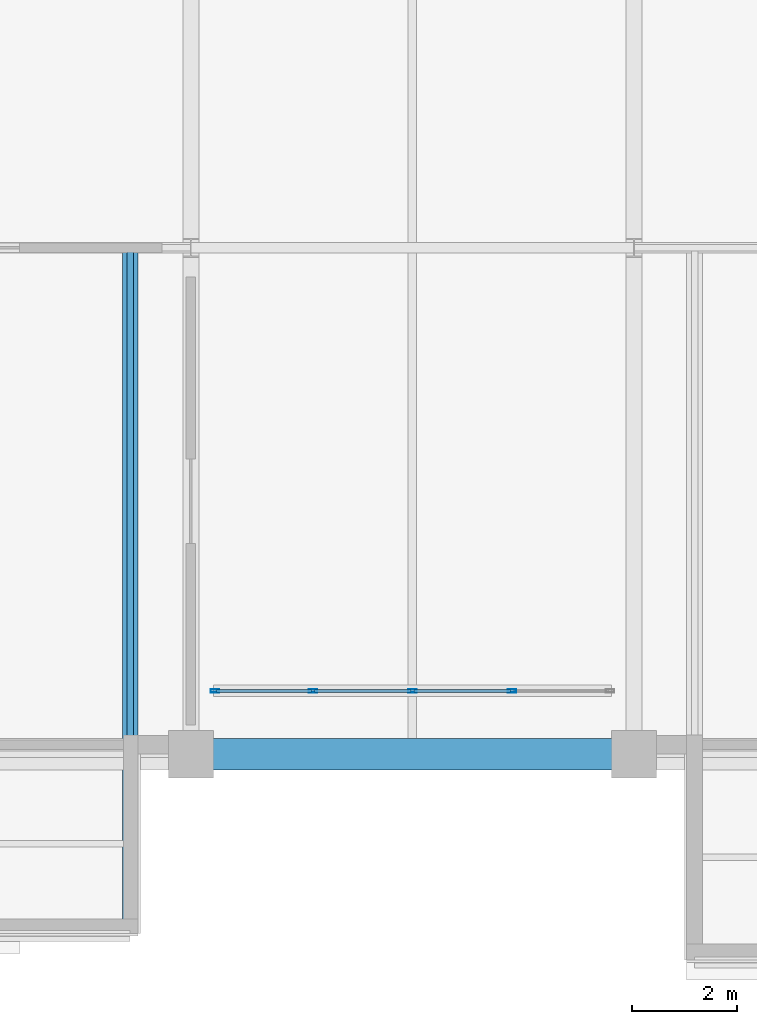
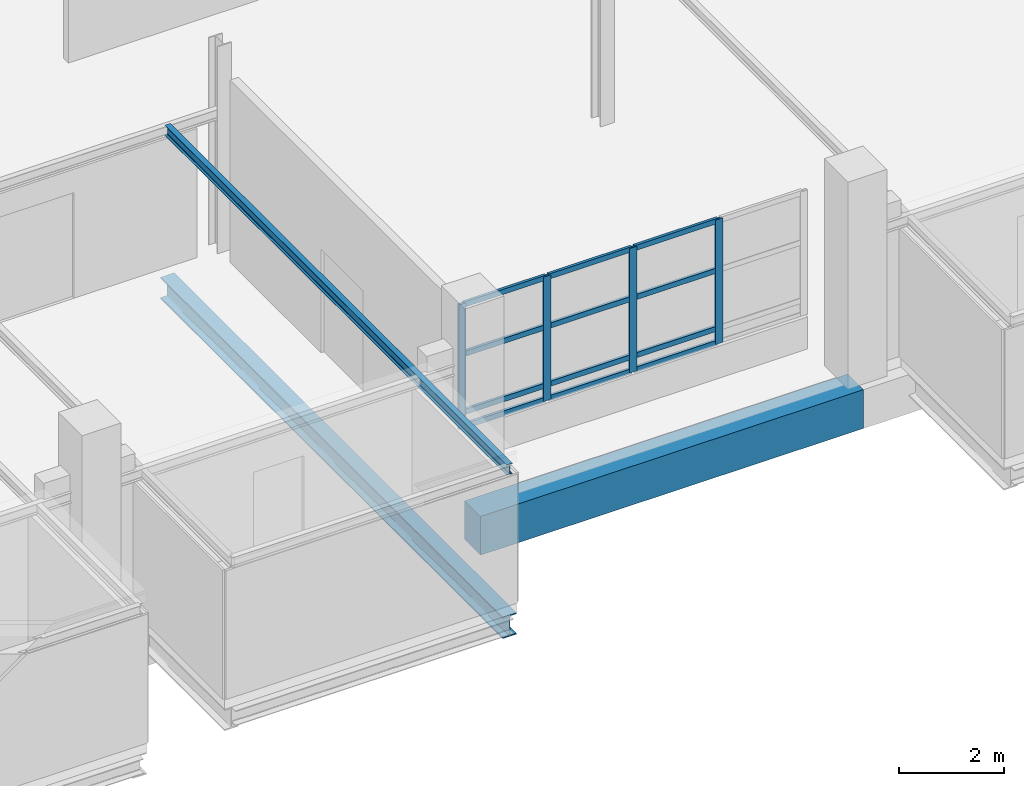
# One storey, part 9 of 29: 16 members, 3 beams, 1 element without a shape of its own.
"""IFC4 building model written with IfcOpenShell, lengths in metres."""

from ifc_helpers import new_model, si_unit, direction, frame, origin, origin_2d, place, context, subcontext, project, spatial, rectangle, hollow_rectangle, i_section, extrude, material, material_profile, profile_set, type_object, element, aggregate, save


model = new_model("IFC4")

# Units and contexts
model_context = context("Model", 3, precision=1e-05, world=origin(), true_north=direction((0.0, 1.0)))
body_context = subcontext(model_context, "Body", "Model", "MODEL_VIEW")
ifc_project = project(units=[si_unit("LENGTHUNIT", "METRE"), si_unit("AREAUNIT", "SQUARE_METRE"), si_unit("VOLUMEUNIT", "CUBIC_METRE"), si_unit("PLANEANGLEUNIT", "RADIAN"), si_unit("MASSUNIT", "GRAM", prefix="KILO")], contexts=[model_context])

# Site, building, storey
site_placement = place(None, origin())
site = spatial("IfcSite", under=ifc_project, at=site_placement, CompositionType="ELEMENT")
building_placement = place(site_placement, origin())
building = spatial("IfcBuilding", under=site, at=building_placement, Name="Veltarok Museum of Natural Sciences", CompositionType="ELEMENT")
storey_placement = place(building_placement, frame((0.0, 0.0, 26.39990234375)))
storey = spatial("IfcBuildingStorey", under=building, at=storey_placement, Name="L05", CompositionType="ELEMENT", Elevation=26.39990234375)

# Beams
ifc_material_1 = material(Name="Steel S355J2", Category="steel")
ifc_material_profile_1 = material_profile(ifc_material_1, i_section(OverallWidth=0.300048828125, OverallDepth=0.5, WebThickness=0.014404296875, FlangeThickness=0.028076171875, FilletRadius=0.027099609375, at=origin_2d()), Name="HEB 500")
ifc_profile_set_1 = profile_set([ifc_material_profile_1], Name="Steel S355J2")
beam_type_1 = type_object("IfcBeamType", Name="Cabinet Box Cantilever Girder HEB 500", PredefinedType="BEAM", material=ifc_profile_set_1)
beam_1_placement = place(storey_placement, frame((64.050048828125, -3.39990234375, -0.5), z_axis=(0.0, 1.0, 0.0), x_axis=(-1.0, 0.0, 0.0)))
element("IfcBeam", 1, at=beam_1_placement, inside=storey, type_object=beam_type_1, Name="Cabinet Cantilever Girder DB-27-2", PredefinedType="BEAM", context=body_context, shape_type="SweptSolid", body=[
    extrude(i_section(OverallWidth=0.300048828125, OverallDepth=0.5, WebThickness=0.014404296875, FlangeThickness=0.028076171875, FilletRadius=0.027099609375, at=origin_2d()), origin(), (0.0, 0.0, 1.0), 13.0),
])
ifc_material_profile_2 = material_profile(ifc_material_1, i_section(OverallWidth=0.1201171875, OverallDepth=0.239990234375, WebThickness=0.006103515625, FlangeThickness=0.009765625, FilletRadius=0.014892578125, at=origin_2d()), Name="IPE 240")
ifc_profile_set_2 = profile_set([ifc_material_profile_2], Name="Steel S355J2")
beam_type_2 = type_object("IfcBeamType", Name="Cabinet Box Secondary Joist IPE 240", PredefinedType="JOIST", material=ifc_profile_set_2)
beam_2_placement = place(storey_placement, frame((64.050048828125, -3.39990234375, 3.130126953125), z_axis=(0.0, 1.0, 0.0), x_axis=(-1.0, 0.0, 0.0)))
element("IfcBeam", 2, at=beam_2_placement, inside=storey, type_object=beam_type_2, Name="Cabinet Roof Rafter DB-27-2", PredefinedType="JOIST", context=body_context, shape_type="SweptSolid", body=[
    extrude(i_section(OverallWidth=0.1201171875, OverallDepth=0.239990234375, WebThickness=0.006103515625, FlangeThickness=0.009765625, FilletRadius=0.014892578125, at=origin_2d()), origin(), (0.0, 0.0, 1.0), 13.0),
])

# Curtain wall, members
ifc_material_2 = material(Name="Low-iron triple insulated glass", Category="glass")
curtain_wall_type = type_object("IfcCurtainWallType", Name="Curtain Wall System CW-CAB-L05-A-755x288 (V1 Recessed L05 755x288cm)", PredefinedType="NOTDEFINED", material=ifc_material_2)
curtain_wall_placement = place(storey_placement, origin())
curtain_wall = element("IfcCurtainWall", 3, at=curtain_wall_placement, inside=storey, type_object=curtain_wall_type, Name="Curtain Wall CW-CAB-L05-A-755x288 CW-0009", PredefinedType="NOTDEFINED")
ifc_material_3 = material(Name="Thermally broken anodised aluminium", Category="aluminium")
ifc_material_profile_3 = material_profile(ifc_material_3, hollow_rectangle(XDim=0.06005859375, YDim=0.1201171875, WallThickness=0.0048828125, at=origin_2d()), Name="CW TRANSOM 60x120x5")
ifc_profile_set_3 = profile_set([ifc_material_profile_3], Name="Thermally broken anodised aluminium")
member_type_1 = type_object("IfcMemberType", Name="Curtain Wall Horizontal Transom 60x120x5", PredefinedType="USERDEFINED", material=ifc_profile_set_3)
member_1_placement = place(storey_placement, frame((65.68505859375, 1.199951171875, 0.77001953125), z_axis=(1.0, 0.0, 0.0), x_axis=(0.0, 1.0, 0.0)))
member_1 = element("IfcMember", 4, at=member_1_placement, type_object=member_type_1, Name="CW-CAB-L05-A-755x288 transom 1.1", ObjectType="TRANSOM", PredefinedType="USERDEFINED", context=body_context, shape_type="SweptSolid", body=[
    extrude(hollow_rectangle(XDim=0.06005859375, YDim=0.1201171875, WallThickness=0.0048828125, at=origin_2d()), origin(), (0.0, 0.0, 1.0), 1.79736328125),
])
member_2_placement = place(storey_placement, frame((65.68505859375, 1.199951171875, 1.10009765625), z_axis=(1.0, 0.0, 0.0), x_axis=(0.0, 1.0, 0.0)))
member_2 = element("IfcMember", 5, at=member_2_placement, type_object=member_type_1, Name="CW-CAB-L05-A-755x288 transom 1.2", ObjectType="TRANSOM", PredefinedType="USERDEFINED", context=body_context, shape_type="SweptSolid", body=[
    extrude(hollow_rectangle(XDim=0.06005859375, YDim=0.1201171875, WallThickness=0.0048828125, at=origin_2d()), origin(), (0.0, 0.0, 1.0), 1.79736328125),
])
member_3_placement = place(storey_placement, frame((65.68505859375, 1.199951171875, 2.4501953125), z_axis=(1.0, 0.0, 0.0), x_axis=(0.0, 1.0, 0.0)))
member_3 = element("IfcMember", 6, at=member_3_placement, type_object=member_type_1, Name="CW-CAB-L05-A-755x288 transom 1.3", ObjectType="TRANSOM", PredefinedType="USERDEFINED", context=body_context, shape_type="SweptSolid", body=[
    extrude(hollow_rectangle(XDim=0.06005859375, YDim=0.1201171875, WallThickness=0.0048828125, at=origin_2d()), origin(), (0.0, 0.0, 1.0), 1.79736328125),
])
member_4_placement = place(storey_placement, frame((65.68505859375, 1.199951171875, 3.59521484375), z_axis=(1.0, 0.0, 0.0), x_axis=(0.0, 1.0, 0.0)))
member_4 = element("IfcMember", 7, at=member_4_placement, type_object=member_type_1, Name="CW-CAB-L05-A-755x288 transom 1.4", ObjectType="TRANSOM", PredefinedType="USERDEFINED", context=body_context, shape_type="SweptSolid", body=[
    extrude(hollow_rectangle(XDim=0.06005859375, YDim=0.1201171875, WallThickness=0.0048828125, at=origin_2d()), origin(), (0.0, 0.0, 1.0), 1.79736328125),
])
member_5_placement = place(storey_placement, frame((67.54248046875, 1.199951171875, 0.77001953125), z_axis=(1.0, 0.0, 0.0), x_axis=(0.0, 1.0, 0.0)))
member_5 = element("IfcMember", 8, at=member_5_placement, type_object=member_type_1, Name="CW-CAB-L05-A-755x288 transom 2.1", ObjectType="TRANSOM", PredefinedType="USERDEFINED", context=body_context, shape_type="SweptSolid", body=[
    extrude(hollow_rectangle(XDim=0.06005859375, YDim=0.1201171875, WallThickness=0.0048828125, at=origin_2d()), origin(), (0.0, 0.0, 1.0), 1.82763671875),
])
member_6_placement = place(storey_placement, frame((67.54248046875, 1.199951171875, 1.10009765625), z_axis=(1.0, 0.0, 0.0), x_axis=(0.0, 1.0, 0.0)))
member_6 = element("IfcMember", 9, at=member_6_placement, type_object=member_type_1, Name="CW-CAB-L05-A-755x288 transom 2.2", ObjectType="TRANSOM", PredefinedType="USERDEFINED", context=body_context, shape_type="SweptSolid", body=[
    extrude(hollow_rectangle(XDim=0.06005859375, YDim=0.1201171875, WallThickness=0.0048828125, at=origin_2d()), origin(), (0.0, 0.0, 1.0), 1.82763671875),
])
member_7_placement = place(storey_placement, frame((67.54248046875, 1.199951171875, 2.4501953125), z_axis=(1.0, 0.0, 0.0), x_axis=(0.0, 1.0, 0.0)))
member_7 = element("IfcMember", 10, at=member_7_placement, type_object=member_type_1, Name="CW-CAB-L05-A-755x288 transom 2.3", ObjectType="TRANSOM", PredefinedType="USERDEFINED", context=body_context, shape_type="SweptSolid", body=[
    extrude(hollow_rectangle(XDim=0.06005859375, YDim=0.1201171875, WallThickness=0.0048828125, at=origin_2d()), origin(), (0.0, 0.0, 1.0), 1.82763671875),
])
member_8_placement = place(storey_placement, frame((67.54248046875, 1.199951171875, 3.59521484375), z_axis=(1.0, 0.0, 0.0), x_axis=(0.0, 1.0, 0.0)))
member_8 = element("IfcMember", 11, at=member_8_placement, type_object=member_type_1, Name="CW-CAB-L05-A-755x288 transom 2.4", ObjectType="TRANSOM", PredefinedType="USERDEFINED", context=body_context, shape_type="SweptSolid", body=[
    extrude(hollow_rectangle(XDim=0.06005859375, YDim=0.1201171875, WallThickness=0.0048828125, at=origin_2d()), origin(), (0.0, 0.0, 1.0), 1.82763671875),
])
member_9_placement = place(storey_placement, frame((69.429931640625, 1.199951171875, 0.77001953125), z_axis=(1.0, 0.0, 0.0), x_axis=(0.0, 1.0, 0.0)))
member_9 = element("IfcMember", 12, at=member_9_placement, type_object=member_type_1, Name="CW-CAB-L05-A-755x288 transom 3.1", ObjectType="TRANSOM", PredefinedType="USERDEFINED", context=body_context, shape_type="SweptSolid", body=[
    extrude(hollow_rectangle(XDim=0.06005859375, YDim=0.1201171875, WallThickness=0.0048828125, at=origin_2d()), origin(), (0.0, 0.0, 1.0), 1.82763671875),
])
member_10_placement = place(storey_placement, frame((69.429931640625, 1.199951171875, 1.10009765625), z_axis=(1.0, 0.0, 0.0), x_axis=(0.0, 1.0, 0.0)))
member_10 = element("IfcMember", 13, at=member_10_placement, type_object=member_type_1, Name="CW-CAB-L05-A-755x288 transom 3.2", ObjectType="TRANSOM", PredefinedType="USERDEFINED", context=body_context, shape_type="SweptSolid", body=[
    extrude(hollow_rectangle(XDim=0.06005859375, YDim=0.1201171875, WallThickness=0.0048828125, at=origin_2d()), origin(), (0.0, 0.0, 1.0), 1.82763671875),
])
member_11_placement = place(storey_placement, frame((69.429931640625, 1.199951171875, 2.4501953125), z_axis=(1.0, 0.0, 0.0), x_axis=(0.0, 1.0, 0.0)))
member_11 = element("IfcMember", 14, at=member_11_placement, type_object=member_type_1, Name="CW-CAB-L05-A-755x288 transom 3.3", ObjectType="TRANSOM", PredefinedType="USERDEFINED", context=body_context, shape_type="SweptSolid", body=[
    extrude(hollow_rectangle(XDim=0.06005859375, YDim=0.1201171875, WallThickness=0.0048828125, at=origin_2d()), origin(), (0.0, 0.0, 1.0), 1.82763671875),
])
member_12_placement = place(storey_placement, frame((69.429931640625, 1.199951171875, 3.59521484375), z_axis=(1.0, 0.0, 0.0), x_axis=(0.0, 1.0, 0.0)))
member_12 = element("IfcMember", 15, at=member_12_placement, type_object=member_type_1, Name="CW-CAB-L05-A-755x288 transom 3.4", ObjectType="TRANSOM", PredefinedType="USERDEFINED", context=body_context, shape_type="SweptSolid", body=[
    extrude(hollow_rectangle(XDim=0.06005859375, YDim=0.1201171875, WallThickness=0.0048828125, at=origin_2d()), origin(), (0.0, 0.0, 1.0), 1.82763671875),
])
ifc_material_profile_4 = material_profile(ifc_material_3, hollow_rectangle(XDim=0.06005859375, YDim=0.159912109375, WallThickness=0.0048828125, at=origin_2d()), Name="CW MULLION 60x160x5")
ifc_profile_set_4 = profile_set([ifc_material_profile_4], Name="Thermally broken anodised aluminium")
member_type_2 = type_object("IfcMemberType", Name="Curtain Wall Vertical Mullion 60x160x5", PredefinedType="MULLION", material=ifc_profile_set_4)
member_13_placement = place(storey_placement, frame((65.655029296875, 1.199951171875, 0.739990234375), z_axis=(0.0, 0.0, 1.0), x_axis=(0.0, 1.0, 0.0)))
member_13 = element("IfcMember", 16, at=member_13_placement, type_object=member_type_2, Name="CW-CAB-L05-A-755x288 mullion 1", PredefinedType="MULLION", context=body_context, shape_type="SweptSolid", body=[
    extrude(hollow_rectangle(XDim=0.06005859375, YDim=0.159912109375, WallThickness=0.0048828125, at=origin_2d()), origin(), (0.0, 0.0, 1.0), 2.885009765625),
])
member_14_placement = place(storey_placement, frame((67.512451171875, 1.199951171875, 0.739990234375), z_axis=(0.0, 0.0, 1.0), x_axis=(0.0, 1.0, 0.0)))
member_14 = element("IfcMember", 17, at=member_14_placement, type_object=member_type_2, Name="CW-CAB-L05-A-755x288 mullion 2", PredefinedType="MULLION", context=body_context, shape_type="SweptSolid", body=[
    extrude(hollow_rectangle(XDim=0.06005859375, YDim=0.159912109375, WallThickness=0.0048828125, at=origin_2d()), origin(), (0.0, 0.0, 1.0), 2.885009765625),
])
member_15_placement = place(storey_placement, frame((69.39990234375, 1.199951171875, 0.739990234375), z_axis=(0.0, 0.0, 1.0), x_axis=(0.0, 1.0, 0.0)))
member_15 = element("IfcMember", 18, at=member_15_placement, type_object=member_type_2, Name="CW-CAB-L05-A-755x288 mullion 3", PredefinedType="MULLION", context=body_context, shape_type="SweptSolid", body=[
    extrude(hollow_rectangle(XDim=0.06005859375, YDim=0.159912109375, WallThickness=0.0048828125, at=origin_2d()), origin(), (0.0, 0.0, 1.0), 2.885009765625),
])
member_16_placement = place(storey_placement, frame((71.28759765625, 1.199951171875, 0.739990234375), z_axis=(0.0, 0.0, 1.0), x_axis=(0.0, 1.0, 0.0)))
member_16 = element("IfcMember", 19, at=member_16_placement, type_object=member_type_2, Name="CW-CAB-L05-A-755x288 mullion 4", PredefinedType="MULLION", context=body_context, shape_type="SweptSolid", body=[
    extrude(hollow_rectangle(XDim=0.06005859375, YDim=0.159912109375, WallThickness=0.0048828125, at=origin_2d()), origin(), (0.0, 0.0, 1.0), 2.885009765625),
])
aggregate(curtain_wall, [member_13, member_14, member_15, member_16, member_1, member_2, member_3, member_4, member_5, member_6, member_7, member_8, member_9, member_10, member_11, member_12])

# Beam
ifc_material_4 = material(Name="Concrete C40/50", Category="concrete")
ifc_material_profile_5 = material_profile(ifc_material_4, rectangle(XDim=0.60009765625, YDim=0.89990234375, at=origin_2d()), Name="RC 600x900")
ifc_profile_set_5 = profile_set([ifc_material_profile_5], Name="Concrete C40/50")
beam_type_3 = type_object("IfcBeamType", Name="Exposed Cabinet Perimeter Spandrel RC 600x900", PredefinedType="SPANDREL", material=ifc_profile_set_5)
beam_3_placement = place(storey_placement, frame((65.199951171875, 0.0, -0.699951171875), z_axis=(1.0, 0.0, 0.0), x_axis=(0.0, 1.0, 0.0)))
element("IfcBeam", 20, at=beam_3_placement, inside=storey, type_object=beam_type_3, Name="Beam BM-SP01 L05 8-9/A", PredefinedType="SPANDREL", context=body_context, shape_type="SweptSolid", body=[
    extrude(rectangle(XDim=0.60009765625, YDim=0.89990234375, at=origin_2d()), origin(), (0.0, 0.0, 1.0), 8.400146484375),
])

save(model, "model.ifc")
